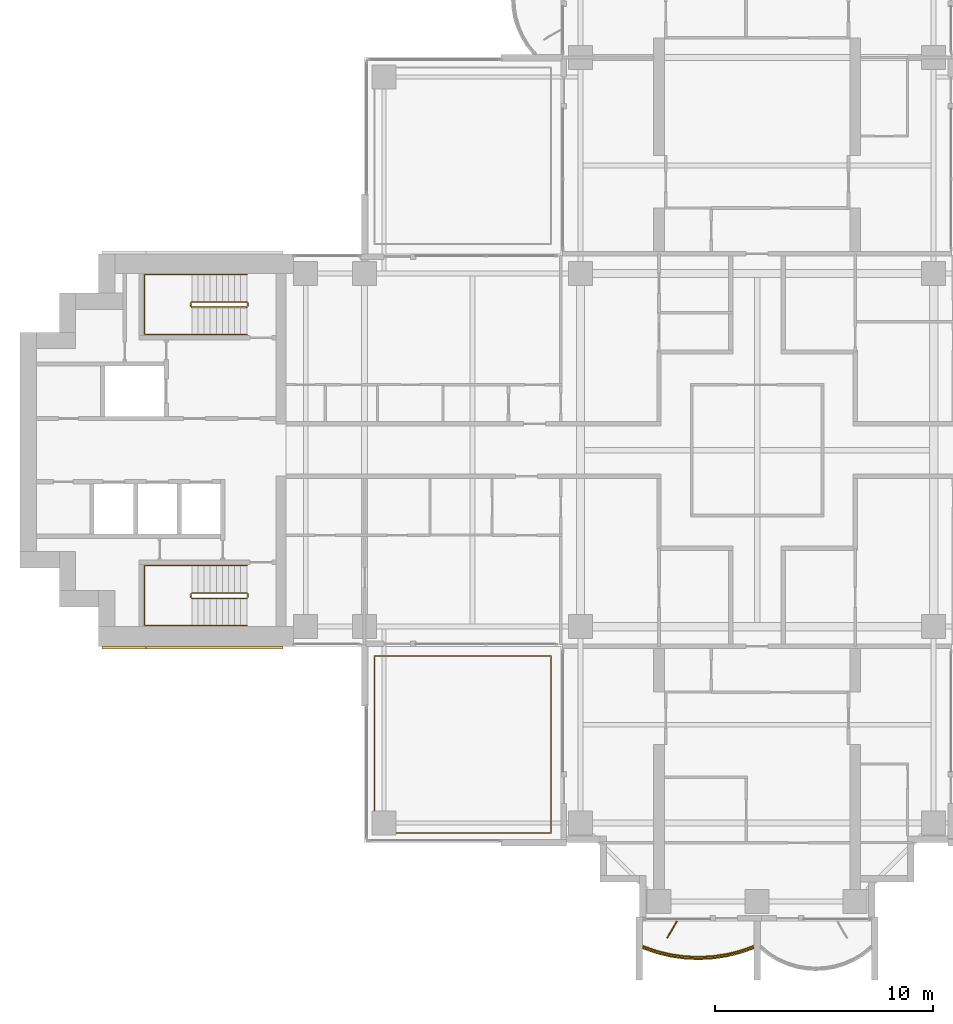
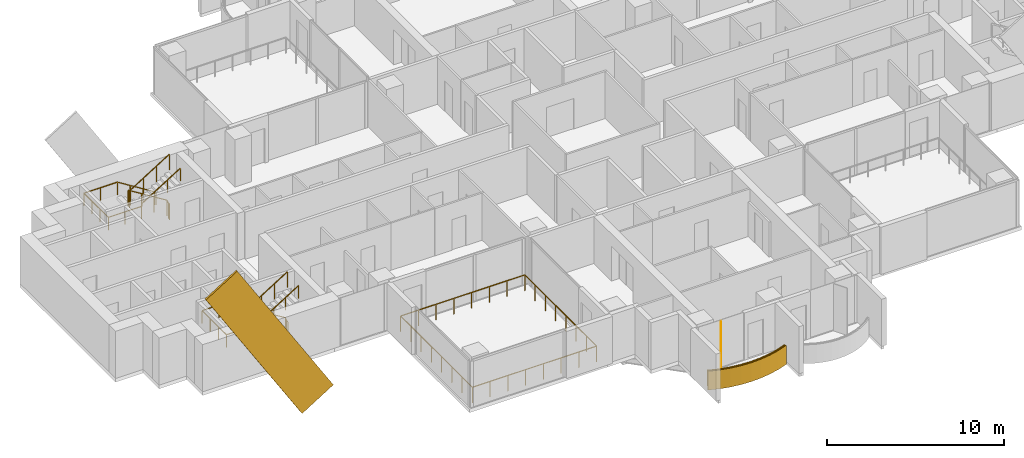
# One storey, part 16 of 19: 6 railings, 2 coverings, 1 shading device.
"""IFC4 building model written with IfcOpenShell, lengths in metres."""

from ifc_helpers import new_model, si_unit, direction, frame, origin, origin_2d, place, context, subcontext, project, spatial, polyline, rectangle, outline, extrude, material, layer, layer_set, material_profile, profile_set, type_object, element, save


model = new_model("IFC4")

# Units and contexts
model_context = context("Model", 3, precision=1e-05, world=origin(), true_north=direction((0.0, 1.0)))
body_context = subcontext(model_context, "Body", "Model", "MODEL_VIEW")
ifc_project = project(units=[si_unit("LENGTHUNIT", "METRE"), si_unit("AREAUNIT", "SQUARE_METRE"), si_unit("VOLUMEUNIT", "CUBIC_METRE"), si_unit("PLANEANGLEUNIT", "RADIAN"), si_unit("MASSUNIT", "GRAM", prefix="KILO")], contexts=[model_context])

# Site, building, storey
site_placement = place(None, origin())
site = spatial("IfcSite", under=ifc_project, at=site_placement, CompositionType="ELEMENT")
building_placement = place(site_placement, origin())
building = spatial("IfcBuilding", under=site, at=building_placement, Name="Perihelion Cross Residences", CompositionType="ELEMENT")
storey_placement = place(building_placement, frame((0.0, 0.0, 126.89990234375)))
storey = spatial("IfcBuildingStorey", under=building, at=storey_placement, Name="L30", CompositionType="ELEMENT", Elevation=126.89990234375)

# Covering
ifc_material_1 = material(Name="Bronze anodised aluminium", Category="aluminium")
ifc_layer_1 = layer(ifc_material_1, 0.070068359375)
ifc_layer_set_1 = layer_set([ifc_layer_1], Name="Balcony fascia 1300")
covering_type_1 = type_object("IfcCoveringType", Name="Balcony fascia 1300", PredefinedType="CLADDING", material=ifc_layer_set_1)
covering_1_placement = place(storey_placement, frame((0.0, 0.0, -0.199951171875)))
element("IfcCovering", 1, at=covering_1_placement, inside=storey, type_object=covering_type_1, Name="Fascia BF1 L30 south tip south bay 1", PredefinedType="CLADDING", context=body_context, shape_type="SweptSolid", body=[
    extrude(outline(polyline([(-4.63232421875, -23.090576171875), (-3.98828125, -23.247314453125), (-3.34423828125, -23.339599609375), (-2.699951171875, -23.3701171875), (-2.055908203125, -23.339599609375), (-1.411865234375, -23.247314453125), (-0.767578125, -23.090576171875), (-0.14990234375, -22.874267578125), (-0.14990234375, -22.800048828125), (-0.78759765625, -23.0234375), (-1.425048828125, -23.178466796875), (-2.0625, -23.269775390625), (-2.699951171875, -23.300048828125), (-3.33740234375, -23.269775390625), (-3.97509765625, -23.178466796875), (-4.612548828125, -23.0234375), (-5.25, -22.800048828125), (-5.25, -22.874267578125), (-4.63232421875, -23.090576171875)])), origin(), (0.0, 0.0, 1.0), 1.300048828125),
])

# Railings
ifc_material_2 = material(Name="Bronze anodised aluminium", Category="aluminium")
railing_type_1 = type_object("IfcRailingType", Name="Balcony guard 1100", PredefinedType="GUARDRAIL", material=ifc_material_2)
railing_1_placement = place(storey_placement, frame((-5.22509765625, -22.739990234375, 0.0)))
element("IfcRailing", 2, at=railing_1_placement, inside=storey, type_object=railing_type_1, Name="Guard GU1 L30 south tip south bay 1 balcony", PredefinedType="GUARDRAIL", context=body_context, shape_type="SweptSolid", body=[
    extrude(rectangle(XDim=0.048095703125, YDim=0.048095703125, at=origin_2d()), frame((0.0, 0.0, 1.076171875), z_axis=(0.939355405384, -0.342945217749, 0.0), x_axis=(0.342945217749, 0.939355405384, 0.0)), (0.0, 0.0, 1.0), 0.652099609375),
    extrude(rectangle(XDim=0.048095703125, YDim=0.048095703125, at=origin_2d()), frame((0.612548828125, -0.2236328125, 1.076171875), z_axis=(0.971676841941, -0.236313594268, 0.0), x_axis=(0.236313594268, 0.971676841941, 0.0)), (0.0, 0.0, 1.0), 0.656005859375),
    extrude(rectangle(XDim=0.048095703125, YDim=0.048095703125, at=origin_2d()), frame((1.25, -0.378662109375, 1.076171875), z_axis=(0.989903964498, -0.141739694763, 0.0), x_axis=(0.141739694763, 0.989903964498, 0.0)), (0.0, 0.0, 1.0), 0.644287109375),
    extrude(rectangle(XDim=0.048095703125, YDim=0.048095703125, at=origin_2d()), frame((1.8876953125, -0.469970703125, 1.076171875), z_axis=(0.998892243319, -0.04705620296, 0.0), x_axis=(0.04705620296, 0.998892243319, 0.0)), (0.0, 0.0, 1.0), 0.63818359375),
    extrude(rectangle(XDim=0.048095703125, YDim=0.048095703125, at=origin_2d()), frame((2.525146484375, -0.5, 1.076171875), z_axis=(0.998892243319, 0.04705620296, 0.0), x_axis=(-0.04705620296, 0.998892243319, 0.0)), (0.0, 0.0, 1.0), 0.63818359375),
    extrude(rectangle(XDim=0.048095703125, YDim=0.048095703125, at=origin_2d()), frame((3.16259765625, -0.469970703125, 1.076171875), z_axis=(0.989896346386, 0.141792889142, 0.0), x_axis=(-0.141792889142, 0.989896346386, 0.0)), (0.0, 0.0, 1.0), 0.64404296875),
    extrude(rectangle(XDim=0.048095703125, YDim=0.048095703125, at=origin_2d()), frame((3.800048828125, -0.378662109375, 1.076171875), z_axis=(0.971676841941, 0.236313594268, 0.0), x_axis=(-0.236313594268, 0.971676841941, 0.0)), (0.0, 0.0, 1.0), 0.656005859375),
    extrude(rectangle(XDim=0.048095703125, YDim=0.048095703125, at=origin_2d()), frame((4.4375, -0.2236328125, 1.076171875), z_axis=(0.939355405384, 0.342945217749, 0.0), x_axis=(-0.342945217749, 0.939355405384, 0.0)), (0.0, 0.0, 1.0), 0.652099609375),
    extrude(rectangle(XDim=0.0419921875, YDim=0.0419921875, at=origin_2d()), origin(), (0.0, 0.0, 1.0), 1.052001953125),
    extrude(rectangle(XDim=0.0419921875, YDim=0.0419921875, at=origin_2d()), frame((0.612548828125, -0.2236328125, 0.0)), (0.0, 0.0, 1.0), 1.052001953125),
    extrude(rectangle(XDim=0.0419921875, YDim=0.0419921875, at=origin_2d()), frame((1.25, -0.378662109375, 0.0)), (0.0, 0.0, 1.0), 1.052001953125),
    extrude(rectangle(XDim=0.0419921875, YDim=0.0419921875, at=origin_2d()), frame((1.8876953125, -0.469970703125, 0.0)), (0.0, 0.0, 1.0), 1.052001953125),
    extrude(rectangle(XDim=0.0419921875, YDim=0.0419921875, at=origin_2d()), frame((2.525146484375, -0.5, 0.0)), (0.0, 0.0, 1.0), 1.052001953125),
    extrude(rectangle(XDim=0.0419921875, YDim=0.0419921875, at=origin_2d()), frame((3.16259765625, -0.469970703125, 0.0)), (0.0, 0.0, 1.0), 1.052001953125),
    extrude(rectangle(XDim=0.0419921875, YDim=0.0419921875, at=origin_2d()), frame((3.800048828125, -0.378662109375, 0.0)), (0.0, 0.0, 1.0), 1.052001953125),
    extrude(rectangle(XDim=0.0419921875, YDim=0.0419921875, at=origin_2d()), frame((4.4375, -0.2236328125, 0.0)), (0.0, 0.0, 1.0), 1.052001953125),
    extrude(rectangle(XDim=0.0419921875, YDim=0.0419921875, at=origin_2d()), frame((5.050048828125, 0.0, 0.0)), (0.0, 0.0, 1.0), 1.052001953125),
])
railing_2_placement = place(storey_placement, frame((-9.449951171875, -17.550048828125, 0.0)))
element("IfcRailing", 3, at=railing_2_placement, inside=storey, type_object=railing_type_1, Name="Guard GU1 L30 pocket south-west 1", PredefinedType="GUARDRAIL", context=body_context, shape_type="SweptSolid", body=[
    extrude(rectangle(XDim=0.048095703125, YDim=0.048095703125, at=origin_2d()), frame((0.0, 0.0, 1.076171875), z_axis=(-1.0, 0.0, 0.0), x_axis=(0.0, -1.0, 0.0)), (0.0, 0.0, 1.0), 8.10009765625),
    extrude(rectangle(XDim=0.048095703125, YDim=0.048095703125, at=origin_2d()), frame((-8.10009765625, 0.0, 1.076171875), z_axis=(0.0, 1.0, 0.0), x_axis=(-1.0, 0.0, 0.0)), (0.0, 0.0, 1.0), 8.10009765625),
    extrude(rectangle(XDim=0.048095703125, YDim=0.048095703125, at=origin_2d()), frame((-8.10009765625, 8.10009765625, 1.076171875), z_axis=(1.0, 0.0, 0.0), x_axis=(0.0, 1.0, 0.0)), (0.0, 0.0, 1.0), 8.10009765625),
    extrude(rectangle(XDim=0.048095703125, YDim=0.048095703125, at=origin_2d()), frame((0.0, 8.10009765625, 1.076171875), z_axis=(0.0, -1.0, 0.0), x_axis=(1.0, 0.0, 0.0)), (0.0, 0.0, 1.0), 8.10009765625),
    extrude(rectangle(XDim=0.0419921875, YDim=0.0419921875, at=origin_2d()), origin(), (0.0, 0.0, 1.0), 1.052001953125),
    extrude(rectangle(XDim=0.0419921875, YDim=0.0419921875, at=origin_2d()), frame((-1.1572265625, 0.0, 0.0)), (0.0, 0.0, 1.0), 1.052001953125),
    extrude(rectangle(XDim=0.0419921875, YDim=0.0419921875, at=origin_2d()), frame((-2.314208984375, 0.0, 0.0)), (0.0, 0.0, 1.0), 1.052001953125),
    extrude(rectangle(XDim=0.0419921875, YDim=0.0419921875, at=origin_2d()), frame((-3.471435546875, 0.0, 0.0)), (0.0, 0.0, 1.0), 1.052001953125),
    extrude(rectangle(XDim=0.0419921875, YDim=0.0419921875, at=origin_2d()), frame((-4.628662109375, 0.0, 0.0)), (0.0, 0.0, 1.0), 1.052001953125),
    extrude(rectangle(XDim=0.0419921875, YDim=0.0419921875, at=origin_2d()), frame((-5.785888671875, 0.0, 0.0)), (0.0, 0.0, 1.0), 1.052001953125),
    extrude(rectangle(XDim=0.0419921875, YDim=0.0419921875, at=origin_2d()), frame((-6.94287109375, 0.0, 0.0)), (0.0, 0.0, 1.0), 1.052001953125),
    extrude(rectangle(XDim=0.0419921875, YDim=0.0419921875, at=origin_2d()), frame((-8.10009765625, 0.0, 0.0)), (0.0, 0.0, 1.0), 1.052001953125),
    extrude(rectangle(XDim=0.0419921875, YDim=0.0419921875, at=origin_2d()), frame((-8.10009765625, 1.1572265625, 0.0)), (0.0, 0.0, 1.0), 1.052001953125),
    extrude(rectangle(XDim=0.0419921875, YDim=0.0419921875, at=origin_2d()), frame((-8.10009765625, 2.314208984375, 0.0)), (0.0, 0.0, 1.0), 1.052001953125),
    extrude(rectangle(XDim=0.0419921875, YDim=0.0419921875, at=origin_2d()), frame((-8.10009765625, 3.471435546875, 0.0)), (0.0, 0.0, 1.0), 1.052001953125),
    extrude(rectangle(XDim=0.0419921875, YDim=0.0419921875, at=origin_2d()), frame((-8.10009765625, 4.628662109375, 0.0)), (0.0, 0.0, 1.0), 1.052001953125),
    extrude(rectangle(XDim=0.0419921875, YDim=0.0419921875, at=origin_2d()), frame((-8.10009765625, 5.785888671875, 0.0)), (0.0, 0.0, 1.0), 1.052001953125),
    extrude(rectangle(XDim=0.0419921875, YDim=0.0419921875, at=origin_2d()), frame((-8.10009765625, 6.94287109375, 0.0)), (0.0, 0.0, 1.0), 1.052001953125),
    extrude(rectangle(XDim=0.0419921875, YDim=0.0419921875, at=origin_2d()), frame((-8.10009765625, 8.10009765625, 0.0)), (0.0, 0.0, 1.0), 1.052001953125),
    extrude(rectangle(XDim=0.0419921875, YDim=0.0419921875, at=origin_2d()), frame((-6.94287109375, 8.10009765625, 0.0)), (0.0, 0.0, 1.0), 1.052001953125),
    extrude(rectangle(XDim=0.0419921875, YDim=0.0419921875, at=origin_2d()), frame((-5.785888671875, 8.10009765625, 0.0)), (0.0, 0.0, 1.0), 1.052001953125),
    extrude(rectangle(XDim=0.0419921875, YDim=0.0419921875, at=origin_2d()), frame((-4.628662109375, 8.10009765625, 0.0)), (0.0, 0.0, 1.0), 1.052001953125),
    extrude(rectangle(XDim=0.0419921875, YDim=0.0419921875, at=origin_2d()), frame((-3.471435546875, 8.10009765625, 0.0)), (0.0, 0.0, 1.0), 1.052001953125),
    extrude(rectangle(XDim=0.0419921875, YDim=0.0419921875, at=origin_2d()), frame((-2.314208984375, 8.10009765625, 0.0)), (0.0, 0.0, 1.0), 1.052001953125),
    extrude(rectangle(XDim=0.0419921875, YDim=0.0419921875, at=origin_2d()), frame((-1.1572265625, 8.10009765625, 0.0)), (0.0, 0.0, 1.0), 1.052001953125),
    extrude(rectangle(XDim=0.0419921875, YDim=0.0419921875, at=origin_2d()), frame((0.0, 8.10009765625, 0.0)), (0.0, 0.0, 1.0), 1.052001953125),
    extrude(rectangle(XDim=0.0419921875, YDim=0.0419921875, at=origin_2d()), frame((0.0, 6.94287109375, 0.0)), (0.0, 0.0, 1.0), 1.052001953125),
    extrude(rectangle(XDim=0.0419921875, YDim=0.0419921875, at=origin_2d()), frame((0.0, 5.785888671875, 0.0)), (0.0, 0.0, 1.0), 1.052001953125),
    extrude(rectangle(XDim=0.0419921875, YDim=0.0419921875, at=origin_2d()), frame((0.0, 4.628662109375, 0.0)), (0.0, 0.0, 1.0), 1.052001953125),
    extrude(rectangle(XDim=0.0419921875, YDim=0.0419921875, at=origin_2d()), frame((0.0, 3.471435546875, 0.0)), (0.0, 0.0, 1.0), 1.052001953125),
    extrude(rectangle(XDim=0.0419921875, YDim=0.0419921875, at=origin_2d()), frame((0.0, 2.314208984375, 0.0)), (0.0, 0.0, 1.0), 1.052001953125),
    extrude(rectangle(XDim=0.0419921875, YDim=0.0419921875, at=origin_2d()), frame((0.0, 1.1572265625, 0.0)), (0.0, 0.0, 1.0), 1.052001953125),
])

# Covering
ifc_material_3 = material(Name="Bronze anodised aluminium", Category="aluminium")
ifc_material_profile = material_profile(ifc_material_3, rectangle(XDim=0.125, YDim=2.39990234375, at=origin_2d()), Name="Bronze cladding band 2400")
ifc_profile_set = profile_set([ifc_material_profile], Name="Bronze anodised aluminium")
covering_type_2 = type_object("IfcCoveringType", Name="Bronze cladding band 2400", PredefinedType="CLADDING", material=ifc_profile_set)
covering_2_placement = place(storey_placement, frame((-22.767578125, -9.0625, -3.030517578125), z_axis=(-0.529915403603, 0.0, 0.848050508534), x_axis=(0.0, -1.0, 0.0)))
element("IfcCovering", 4, at=covering_2_placement, inside=storey, type_object=covering_type_2, Name="Core cladding band, west core", PredefinedType="CLADDING", context=body_context, shape_type="SweptSolid", body=[
    extrude(rectangle(XDim=0.125, YDim=2.39990234375, at=origin_2d()), origin(), (0.0, 0.0, 1.0), 11.822021484375),
])

# Shading device
ifc_material_4 = material(Name="Bronze anodised aluminium", Category="aluminium")
ifc_layer_2 = layer(ifc_material_4, 0.050048828125)
ifc_layer_set_2 = layer_set([ifc_layer_2], Name="Bronze fin 900")
shading_device_type = type_object("IfcShadingDeviceType", Name="Bronze fin 900", PredefinedType="USERDEFINED", material=ifc_layer_set_2)
shading_device_placement = place(storey_placement, frame((-3.89990234375, -21.98974609375, 0.0), z_axis=(0.0, 0.0, 1.0), x_axis=(-0.5, -0.866025403784, 0.0)))
element("IfcShadingDevice", 5, at=shading_device_placement, inside=storey, type_object=shading_device_type, Name="Fin FN1 L30 south tip south bay 1", ObjectType="FIN", PredefinedType="USERDEFINED", context=body_context, shape_type="SweptSolid", body=[
    extrude(rectangle(XDim=0.89990234375, YDim=0.050048828125, at=origin_2d()), origin(), (0.0, 0.0, 1.0), 3.25),
])

# Railings
ifc_material_5 = material(Name="Stainless steel", Category="steel")
railing_type_2 = type_object("IfcRailingType", Name="Stair guard 1100", PredefinedType="GUARDRAIL", material=ifc_material_5)
railing_3_placement = place(storey_placement, frame((-23.35009765625, 6.60009765625, 0.0)))
element("IfcRailing", 6, at=railing_3_placement, inside=storey, type_object=railing_type_2, Name="L30 ST-W1 stair guard 1", PredefinedType="GUARDRAIL", context=body_context, shape_type="SweptSolid", body=[
    extrude(rectangle(XDim=0.048095703125, YDim=0.048095703125, at=origin_2d()), frame((0.0, 0.0, 1.076171875), z_axis=(0.0, 1.0, 0.0), x_axis=(-1.0, 0.0, 0.0)), (0.0, 0.0, 1.0), 0.14990234375),
    extrude(rectangle(XDim=0.048095703125, YDim=0.048095703125, at=origin_2d()), frame((0.0, 0.14990234375, 1.076171875), z_axis=(-0.263862480399, 0.265155923931, 0.927399011991), x_axis=(-0.708833529934, -0.705375805398, 0.0)), (0.0, 0.0, 1.0), 0.188720703125),
    extrude(rectangle(XDim=0.048095703125, YDim=0.048095703125, at=origin_2d()), frame((-0.0498046875, 0.199951171875, 1.2509765625), z_axis=(-0.848007534815, 0.0, 0.529984170421), x_axis=(0.0, -1.0, 0.0)), (0.0, 0.0, 1.0), 2.9716796875),
    extrude(rectangle(XDim=0.048095703125, YDim=0.048095703125, at=origin_2d()), frame((-2.56982421875, 0.199951171875, 2.826171875), z_axis=(-0.707106781187, -0.707106781187, 0.0), x_axis=(0.707106781187, -0.707106781187, 0.0)), (0.0, 0.0, 1.0), 0.07080078125),
    extrude(rectangle(XDim=0.048095703125, YDim=0.048095703125, at=origin_2d()), frame((-2.619873046875, 0.14990234375, 2.826171875), z_axis=(0.0, -1.0, 0.0), x_axis=(1.0, 0.0, 0.0)), (0.0, 0.0, 1.0), 0.14990234375),
    extrude(rectangle(XDim=0.048095703125, YDim=0.048095703125, at=origin_2d()), frame((-2.619873046875, 0.0, 2.826171875), z_axis=(0.265065253269, -0.265065253269, 0.927081885822), x_axis=(0.707106781187, 0.707106781187, 0.0)), (0.0, 0.0, 1.0), 0.188720703125),
    extrude(rectangle(XDim=0.048095703125, YDim=0.048095703125, at=origin_2d()), frame((-2.56982421875, -0.050048828125, 3.0009765625), z_axis=(0.848007534815, 0.0, 0.529984170421), x_axis=(0.0, 1.0, 0.0)), (0.0, 0.0, 1.0), 2.9716796875),
    extrude(rectangle(XDim=0.0419921875, YDim=0.0419921875, at=origin_2d()), origin(), (0.0, 0.0, 1.0), 1.052001953125),
    extrude(rectangle(XDim=0.0419921875, YDim=0.0419921875, at=origin_2d()), frame((0.0, 0.14990234375, 0.0)), (0.0, 0.0, 1.0), 1.052001953125),
    extrude(rectangle(XDim=0.0419921875, YDim=0.0419921875, at=origin_2d()), frame((-0.0498046875, 0.199951171875, 0.175048828125)), (0.0, 0.0, 1.0), 1.052001953125),
    extrude(rectangle(XDim=0.0419921875, YDim=0.0419921875, at=origin_2d()), frame((-0.889892578125, 0.199951171875, 0.699951171875)), (0.0, 0.0, 1.0), 1.052001953125),
    extrude(rectangle(XDim=0.0419921875, YDim=0.0419921875, at=origin_2d()), frame((-1.729736328125, 0.199951171875, 1.22509765625)), (0.0, 0.0, 1.0), 1.052001953125),
    extrude(rectangle(XDim=0.0419921875, YDim=0.0419921875, at=origin_2d()), frame((-2.56982421875, 0.199951171875, 1.75)), (0.0, 0.0, 1.0), 1.052001953125),
    extrude(rectangle(XDim=0.0419921875, YDim=0.0419921875, at=origin_2d()), frame((-2.619873046875, 0.14990234375, 1.75)), (0.0, 0.0, 1.0), 1.052001953125),
    extrude(rectangle(XDim=0.0419921875, YDim=0.0419921875, at=origin_2d()), frame((-2.619873046875, 0.0, 1.75)), (0.0, 0.0, 1.0), 1.052001953125),
    extrude(rectangle(XDim=0.0419921875, YDim=0.0419921875, at=origin_2d()), frame((-2.56982421875, -0.050048828125, 1.925048828125)), (0.0, 0.0, 1.0), 1.052001953125),
    extrude(rectangle(XDim=0.0419921875, YDim=0.0419921875, at=origin_2d()), frame((-1.729736328125, -0.050048828125, 2.449951171875)), (0.0, 0.0, 1.0), 1.052001953125),
    extrude(rectangle(XDim=0.0419921875, YDim=0.0419921875, at=origin_2d()), frame((-0.889892578125, -0.050048828125, 2.97509765625)), (0.0, 0.0, 1.0), 1.052001953125),
    extrude(rectangle(XDim=0.0419921875, YDim=0.0419921875, at=origin_2d()), frame((-0.0498046875, -0.050048828125, 3.5)), (0.0, 0.0, 1.0), 1.052001953125),
])
railing_4_placement = place(storey_placement, frame((-23.35009765625, -6.75, 0.0)))
element("IfcRailing", 7, at=railing_4_placement, inside=storey, type_object=railing_type_2, Name="L30 ST-W2 stair guard 1", PredefinedType="GUARDRAIL", context=body_context, shape_type="SweptSolid", body=[
    extrude(rectangle(XDim=0.048095703125, YDim=0.048095703125, at=origin_2d()), frame((0.0, 0.0, 1.076171875), z_axis=(0.0, 1.0, 0.0), x_axis=(-1.0, 0.0, 0.0)), (0.0, 0.0, 1.0), 0.14990234375),
    extrude(rectangle(XDim=0.048095703125, YDim=0.048095703125, at=origin_2d()), frame((0.0, 0.14990234375, 1.076171875), z_axis=(-0.263862480399, 0.265155923931, 0.927399011991), x_axis=(-0.708833529934, -0.705375805398, 0.0)), (0.0, 0.0, 1.0), 0.188720703125),
    extrude(rectangle(XDim=0.048095703125, YDim=0.048095703125, at=origin_2d()), frame((-0.0498046875, 0.199951171875, 1.2509765625), z_axis=(-0.848007534815, 0.0, 0.529984170421), x_axis=(0.0, -1.0, 0.0)), (0.0, 0.0, 1.0), 2.9716796875),
    extrude(rectangle(XDim=0.048095703125, YDim=0.048095703125, at=origin_2d()), frame((-2.56982421875, 0.199951171875, 2.826171875), z_axis=(-0.707106781187, -0.707106781187, 0.0), x_axis=(0.707106781187, -0.707106781187, 0.0)), (0.0, 0.0, 1.0), 0.07080078125),
    extrude(rectangle(XDim=0.048095703125, YDim=0.048095703125, at=origin_2d()), frame((-2.619873046875, 0.14990234375, 2.826171875), z_axis=(0.0, -1.0, 0.0), x_axis=(1.0, 0.0, 0.0)), (0.0, 0.0, 1.0), 0.14990234375),
    extrude(rectangle(XDim=0.048095703125, YDim=0.048095703125, at=origin_2d()), frame((-2.619873046875, 0.0, 2.826171875), z_axis=(0.265065253269, -0.265065253269, 0.927081885822), x_axis=(0.707106781187, 0.707106781187, 0.0)), (0.0, 0.0, 1.0), 0.188720703125),
    extrude(rectangle(XDim=0.048095703125, YDim=0.048095703125, at=origin_2d()), frame((-2.56982421875, -0.050048828125, 3.0009765625), z_axis=(0.848007534815, 0.0, 0.529984170421), x_axis=(0.0, 1.0, 0.0)), (0.0, 0.0, 1.0), 2.9716796875),
    extrude(rectangle(XDim=0.0419921875, YDim=0.0419921875, at=origin_2d()), origin(), (0.0, 0.0, 1.0), 1.052001953125),
    extrude(rectangle(XDim=0.0419921875, YDim=0.0419921875, at=origin_2d()), frame((0.0, 0.14990234375, 0.0)), (0.0, 0.0, 1.0), 1.052001953125),
    extrude(rectangle(XDim=0.0419921875, YDim=0.0419921875, at=origin_2d()), frame((-0.0498046875, 0.199951171875, 0.175048828125)), (0.0, 0.0, 1.0), 1.052001953125),
    extrude(rectangle(XDim=0.0419921875, YDim=0.0419921875, at=origin_2d()), frame((-0.889892578125, 0.199951171875, 0.699951171875)), (0.0, 0.0, 1.0), 1.052001953125),
    extrude(rectangle(XDim=0.0419921875, YDim=0.0419921875, at=origin_2d()), frame((-1.729736328125, 0.199951171875, 1.22509765625)), (0.0, 0.0, 1.0), 1.052001953125),
    extrude(rectangle(XDim=0.0419921875, YDim=0.0419921875, at=origin_2d()), frame((-2.56982421875, 0.199951171875, 1.75)), (0.0, 0.0, 1.0), 1.052001953125),
    extrude(rectangle(XDim=0.0419921875, YDim=0.0419921875, at=origin_2d()), frame((-2.619873046875, 0.14990234375, 1.75)), (0.0, 0.0, 1.0), 1.052001953125),
    extrude(rectangle(XDim=0.0419921875, YDim=0.0419921875, at=origin_2d()), frame((-2.619873046875, 0.0, 1.75)), (0.0, 0.0, 1.0), 1.052001953125),
    extrude(rectangle(XDim=0.0419921875, YDim=0.0419921875, at=origin_2d()), frame((-2.56982421875, -0.050048828125, 1.925048828125)), (0.0, 0.0, 1.0), 1.052001953125),
    extrude(rectangle(XDim=0.0419921875, YDim=0.0419921875, at=origin_2d()), frame((-1.729736328125, -0.050048828125, 2.449951171875)), (0.0, 0.0, 1.0), 1.052001953125),
    extrude(rectangle(XDim=0.0419921875, YDim=0.0419921875, at=origin_2d()), frame((-0.889892578125, -0.050048828125, 2.97509765625)), (0.0, 0.0, 1.0), 1.052001953125),
    extrude(rectangle(XDim=0.0419921875, YDim=0.0419921875, at=origin_2d()), frame((-0.0498046875, -0.050048828125, 3.5)), (0.0, 0.0, 1.0), 1.052001953125),
])
ifc_material_6 = material(Name="Stainless steel", Category="steel")
railing_type_3 = type_object("IfcRailingType", Name="Stair handrail 900", PredefinedType="HANDRAIL", material=ifc_material_6)
railing_5_placement = place(storey_placement, frame((-23.39990234375, 8.050048828125, 0.175048828125)))
element("IfcRailing", 8, at=railing_5_placement, inside=storey, type_object=railing_type_3, Name="L30 ST-W1 stair handrail 1", PredefinedType="HANDRAIL", context=body_context, shape_type="SweptSolid", body=[
    extrude(rectangle(XDim=0.048095703125, YDim=0.048095703125, at=origin_2d()), frame((0.0, 0.0, 0.8759765625), z_axis=(-0.848007534815, 0.0, 0.529984170421), x_axis=(0.0, -1.0, 0.0)), (0.0, 0.0, 1.0), 2.9716796875),
    extrude(rectangle(XDim=0.048095703125, YDim=0.048095703125, at=origin_2d()), frame((-2.52001953125, 0.0, 2.45068359375), z_axis=(-1.0, 0.0, 0.0), x_axis=(0.0, -1.0, 0.0)), (0.0, 0.0, 1.0), 2.18017578125),
    extrude(rectangle(XDim=0.048095703125, YDim=0.048095703125, at=origin_2d()), frame((-4.7001953125, 0.0, 2.45068359375), z_axis=(0.0, -1.0, 0.0), x_axis=(1.0, 0.0, 0.0)), (0.0, 0.0, 1.0), 2.75),
    extrude(rectangle(XDim=0.048095703125, YDim=0.048095703125, at=origin_2d()), frame((-4.7001953125, -2.75, 2.45068359375), z_axis=(1.0, 0.0, 0.0), x_axis=(0.0, 1.0, 0.0)), (0.0, 0.0, 1.0), 2.18017578125),
    extrude(rectangle(XDim=0.048095703125, YDim=0.048095703125, at=origin_2d()), frame((-2.52001953125, -2.75, 2.45068359375), z_axis=(0.0, 0.0, 1.0), x_axis=(1.0, 0.0, 0.0)), (0.0, 0.0, 1.0), 0.175048828125),
    extrude(rectangle(XDim=0.048095703125, YDim=0.048095703125, at=origin_2d()), frame((-2.52001953125, -2.75, 2.6259765625), z_axis=(0.848007534815, 0.0, 0.529984170421), x_axis=(0.0, 1.0, 0.0)), (0.0, 0.0, 1.0), 2.9716796875),
    extrude(rectangle(XDim=0.0419921875, YDim=0.0419921875, at=origin_2d()), origin(), (0.0, 0.0, 1.0), 0.851806640625),
    extrude(rectangle(XDim=0.0419921875, YDim=0.0419921875, at=origin_2d()), frame((-0.840087890625, 0.0, 0.52490234375)), (0.0, 0.0, 1.0), 0.851806640625),
    extrude(rectangle(XDim=0.0419921875, YDim=0.0419921875, at=origin_2d()), frame((-1.679931640625, 0.0, 1.050048828125)), (0.0, 0.0, 1.0), 0.851806640625),
    extrude(rectangle(XDim=0.0419921875, YDim=0.0419921875, at=origin_2d()), frame((-2.52001953125, 0.0, 1.574951171875)), (0.0, 0.0, 1.0), 0.851806640625),
    extrude(rectangle(XDim=0.0419921875, YDim=0.0419921875, at=origin_2d()), frame((-3.610107421875, 0.0, 1.574951171875)), (0.0, 0.0, 1.0), 0.851806640625),
    extrude(rectangle(XDim=0.0419921875, YDim=0.0419921875, at=origin_2d()), frame((-4.7001953125, 0.0, 1.574951171875)), (0.0, 0.0, 1.0), 0.851806640625),
    extrude(rectangle(XDim=0.0419921875, YDim=0.0419921875, at=origin_2d()), frame((-4.7001953125, -0.916748046875, 1.574951171875)), (0.0, 0.0, 1.0), 0.851806640625),
    extrude(rectangle(XDim=0.0419921875, YDim=0.0419921875, at=origin_2d()), frame((-4.7001953125, -1.833251953125, 1.574951171875)), (0.0, 0.0, 1.0), 0.851806640625),
    extrude(rectangle(XDim=0.0419921875, YDim=0.0419921875, at=origin_2d()), frame((-4.7001953125, -2.75, 1.574951171875)), (0.0, 0.0, 1.0), 0.851806640625),
    extrude(rectangle(XDim=0.0419921875, YDim=0.0419921875, at=origin_2d()), frame((-3.610107421875, -2.75, 1.574951171875)), (0.0, 0.0, 1.0), 0.851806640625),
    extrude(rectangle(XDim=0.0419921875, YDim=0.0419921875, at=origin_2d()), frame((-2.52001953125, -2.75, 1.574951171875)), (0.0, 0.0, 1.0), 0.851806640625),
    extrude(rectangle(XDim=0.0419921875, YDim=0.0419921875, at=origin_2d()), frame((-2.52001953125, -2.75, 1.75)), (0.0, 0.0, 1.0), 0.851806640625),
    extrude(rectangle(XDim=0.0419921875, YDim=0.0419921875, at=origin_2d()), frame((-1.679931640625, -2.75, 2.27490234375)), (0.0, 0.0, 1.0), 0.851806640625),
    extrude(rectangle(XDim=0.0419921875, YDim=0.0419921875, at=origin_2d()), frame((-0.840087890625, -2.75, 2.800048828125)), (0.0, 0.0, 1.0), 0.851806640625),
    extrude(rectangle(XDim=0.0419921875, YDim=0.0419921875, at=origin_2d()), frame((0.0, -2.75, 3.324951171875)), (0.0, 0.0, 1.0), 0.851806640625),
])
railing_6_placement = place(storey_placement, frame((-23.39990234375, -5.300048828125, 0.175048828125)))
element("IfcRailing", 9, at=railing_6_placement, inside=storey, type_object=railing_type_3, Name="L30 ST-W2 stair handrail 1", PredefinedType="HANDRAIL", context=body_context, shape_type="SweptSolid", body=[
    extrude(rectangle(XDim=0.048095703125, YDim=0.048095703125, at=origin_2d()), frame((0.0, 0.0, 0.8759765625), z_axis=(-0.848007534815, 0.0, 0.529984170421), x_axis=(0.0, -1.0, 0.0)), (0.0, 0.0, 1.0), 2.9716796875),
    extrude(rectangle(XDim=0.048095703125, YDim=0.048095703125, at=origin_2d()), frame((-2.52001953125, 0.0, 2.45068359375), z_axis=(-1.0, 0.0, 0.0), x_axis=(0.0, -1.0, 0.0)), (0.0, 0.0, 1.0), 2.18017578125),
    extrude(rectangle(XDim=0.048095703125, YDim=0.048095703125, at=origin_2d()), frame((-4.7001953125, 0.0, 2.45068359375), z_axis=(0.0, -1.0, 0.0), x_axis=(1.0, 0.0, 0.0)), (0.0, 0.0, 1.0), 2.75),
    extrude(rectangle(XDim=0.048095703125, YDim=0.048095703125, at=origin_2d()), frame((-4.7001953125, -2.75, 2.45068359375), z_axis=(1.0, 0.0, 0.0), x_axis=(0.0, 1.0, 0.0)), (0.0, 0.0, 1.0), 2.18017578125),
    extrude(rectangle(XDim=0.048095703125, YDim=0.048095703125, at=origin_2d()), frame((-2.52001953125, -2.75, 2.45068359375), z_axis=(0.0, 0.0, 1.0), x_axis=(1.0, 0.0, 0.0)), (0.0, 0.0, 1.0), 0.175048828125),
    extrude(rectangle(XDim=0.048095703125, YDim=0.048095703125, at=origin_2d()), frame((-2.52001953125, -2.75, 2.6259765625), z_axis=(0.848007534815, 0.0, 0.529984170421), x_axis=(0.0, 1.0, 0.0)), (0.0, 0.0, 1.0), 2.9716796875),
    extrude(rectangle(XDim=0.0419921875, YDim=0.0419921875, at=origin_2d()), origin(), (0.0, 0.0, 1.0), 0.851806640625),
    extrude(rectangle(XDim=0.0419921875, YDim=0.0419921875, at=origin_2d()), frame((-0.840087890625, 0.0, 0.52490234375)), (0.0, 0.0, 1.0), 0.851806640625),
    extrude(rectangle(XDim=0.0419921875, YDim=0.0419921875, at=origin_2d()), frame((-1.679931640625, 0.0, 1.050048828125)), (0.0, 0.0, 1.0), 0.851806640625),
    extrude(rectangle(XDim=0.0419921875, YDim=0.0419921875, at=origin_2d()), frame((-2.52001953125, 0.0, 1.574951171875)), (0.0, 0.0, 1.0), 0.851806640625),
    extrude(rectangle(XDim=0.0419921875, YDim=0.0419921875, at=origin_2d()), frame((-3.610107421875, 0.0, 1.574951171875)), (0.0, 0.0, 1.0), 0.851806640625),
    extrude(rectangle(XDim=0.0419921875, YDim=0.0419921875, at=origin_2d()), frame((-4.7001953125, 0.0, 1.574951171875)), (0.0, 0.0, 1.0), 0.851806640625),
    extrude(rectangle(XDim=0.0419921875, YDim=0.0419921875, at=origin_2d()), frame((-4.7001953125, -0.916748046875, 1.574951171875)), (0.0, 0.0, 1.0), 0.851806640625),
    extrude(rectangle(XDim=0.0419921875, YDim=0.0419921875, at=origin_2d()), frame((-4.7001953125, -1.833251953125, 1.574951171875)), (0.0, 0.0, 1.0), 0.851806640625),
    extrude(rectangle(XDim=0.0419921875, YDim=0.0419921875, at=origin_2d()), frame((-4.7001953125, -2.75, 1.574951171875)), (0.0, 0.0, 1.0), 0.851806640625),
    extrude(rectangle(XDim=0.0419921875, YDim=0.0419921875, at=origin_2d()), frame((-3.610107421875, -2.75, 1.574951171875)), (0.0, 0.0, 1.0), 0.851806640625),
    extrude(rectangle(XDim=0.0419921875, YDim=0.0419921875, at=origin_2d()), frame((-2.52001953125, -2.75, 1.574951171875)), (0.0, 0.0, 1.0), 0.851806640625),
    extrude(rectangle(XDim=0.0419921875, YDim=0.0419921875, at=origin_2d()), frame((-2.52001953125, -2.75, 1.75)), (0.0, 0.0, 1.0), 0.851806640625),
    extrude(rectangle(XDim=0.0419921875, YDim=0.0419921875, at=origin_2d()), frame((-1.679931640625, -2.75, 2.27490234375)), (0.0, 0.0, 1.0), 0.851806640625),
    extrude(rectangle(XDim=0.0419921875, YDim=0.0419921875, at=origin_2d()), frame((-0.840087890625, -2.75, 2.800048828125)), (0.0, 0.0, 1.0), 0.851806640625),
    extrude(rectangle(XDim=0.0419921875, YDim=0.0419921875, at=origin_2d()), frame((0.0, -2.75, 3.324951171875)), (0.0, 0.0, 1.0), 0.851806640625),
])

save(model, "model.ifc")
